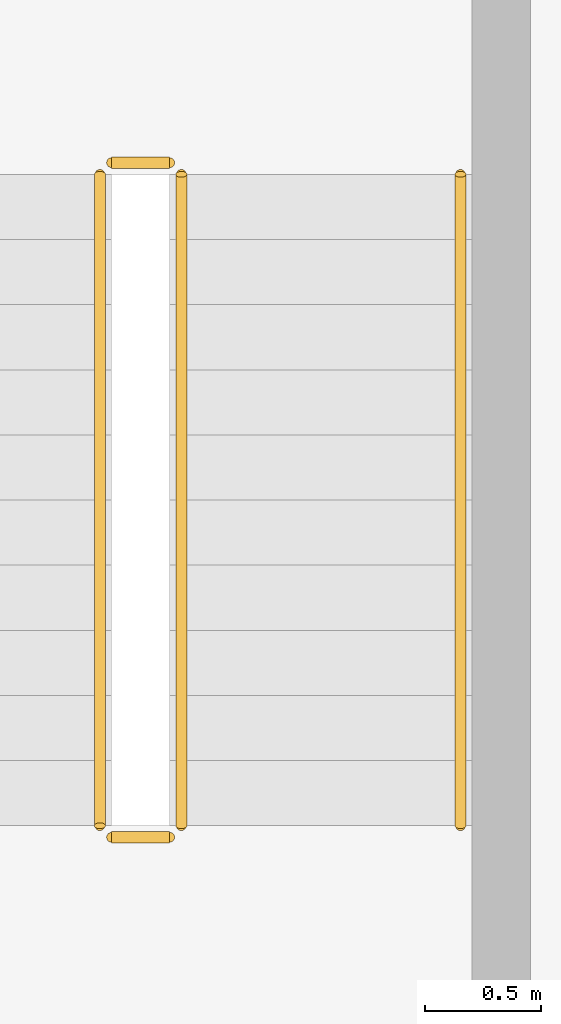
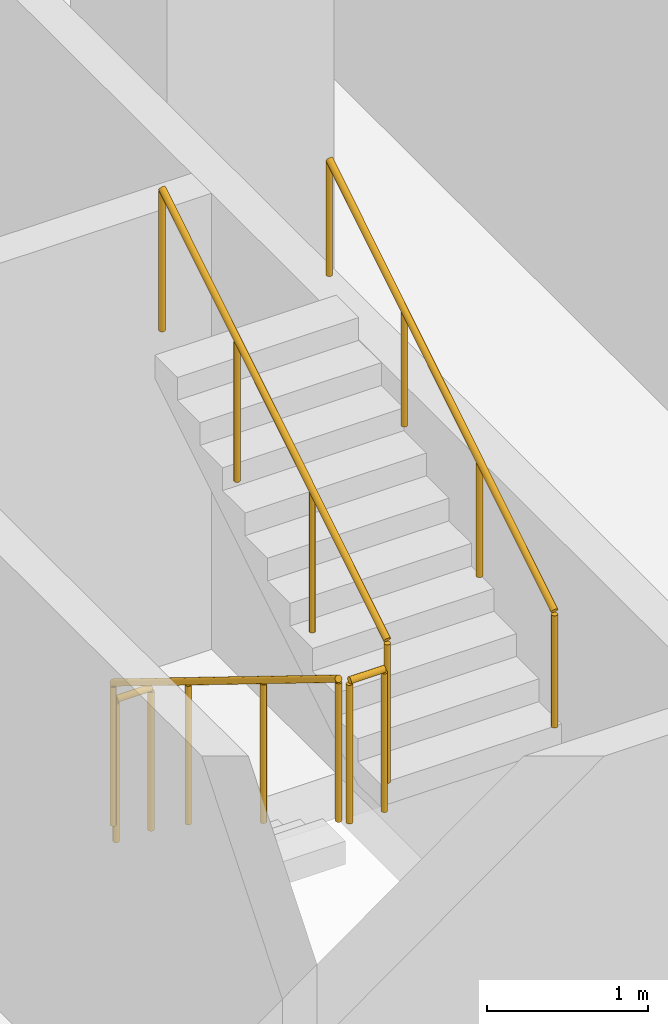
# One storey, part 23 of 30: 5 railings.
"""IFC4 building model written with IfcOpenShell, lengths in metres."""

from ifc_helpers import new_model, si_unit, direction, frame, origin, origin_2d, place, context, subcontext, project, spatial, circle, extrude, material, type_object, element, save


model = new_model("IFC4")

# Units and contexts
model_context = context("Model", 3, precision=1e-05, world=origin(), true_north=direction((0.0, 1.0)))
body_context = subcontext(model_context, "Body", "Model", "MODEL_VIEW")
ifc_project = project(units=[si_unit("LENGTHUNIT", "METRE"), si_unit("AREAUNIT", "SQUARE_METRE"), si_unit("VOLUMEUNIT", "CUBIC_METRE"), si_unit("PLANEANGLEUNIT", "RADIAN"), si_unit("MASSUNIT", "GRAM", prefix="KILO")], contexts=[model_context])

# Site, building, storey
site_placement = place(None, origin())
site = spatial("IfcSite", under=ifc_project, at=site_placement, CompositionType="ELEMENT")
building_placement = place(site_placement, origin())
building = spatial("IfcBuilding", under=site, at=building_placement, Name="Mahtab Terrace Research Tower", CompositionType="ELEMENT")
storey_placement = place(building_placement, frame((0.0, 0.0, 159.199951171875)))
storey = spatial("IfcBuildingStorey", under=building, at=storey_placement, Name="L37", CompositionType="ELEMENT", Elevation=159.199951171875)

# Railings
ifc_material = material(Name="Stainless steel AISI 304", Category="steel")
railing_type_1 = type_object("IfcRailingType", Name="Stair guard 1100", PredefinedType="GUARDRAIL", material=ifc_material)
railing_1_placement = place(storey_placement, frame((2.949951171875, -4.175048828125, 0.1728515625)))
element("IfcRailing", 1, at=railing_1_placement, inside=storey, type_object=railing_type_1, Name="L37 ST2 stair guard 1", PredefinedType="GUARDRAIL", context=body_context, shape_type="SweptSolid", body=[
    extrude(circle(Radius=0.02392578125, at=origin_2d()), frame((0.0, 0.0, 1.076171875), z_axis=(0.0, -0.851089632645, 0.525020415988), x_axis=(1.0, 0.0, 0.0)), (0.0, 0.0, 1.0), 3.2900390625),
    extrude(circle(Radius=0.02099609375, at=origin_2d()), origin(), (0.0, 0.0, 1.0), 1.052001953125),
    extrude(circle(Radius=0.02099609375, at=origin_2d()), frame((0.0, -0.933349609375, 0.57568359375)), (0.0, 0.0, 1.0), 1.052001953125),
    extrude(circle(Radius=0.02099609375, at=origin_2d()), frame((0.0, -1.86669921875, 1.151611328125)), (0.0, 0.0, 1.0), 1.052001953125),
    extrude(circle(Radius=0.02099609375, at=origin_2d()), frame((0.0, -2.800048828125, 1.727294921875)), (0.0, 0.0, 1.0), 1.052001953125),
])
railing_2_placement = place(storey_placement, frame((3.0, -7.02490234375, 1.900146484375)))
element("IfcRailing", 2, at=railing_2_placement, inside=storey, type_object=railing_type_1, Name="L37 ST2 stair guard 2", PredefinedType="GUARDRAIL", context=body_context, shape_type="SweptSolid", body=[
    extrude(circle(Radius=0.02392578125, at=origin_2d()), frame((0.0, 0.0, 1.076171875), z_axis=(1.0, 0.0, 0.0), x_axis=(0.0, 1.0, 0.0)), (0.0, 0.0, 1.0), 0.25),
    extrude(circle(Radius=0.02099609375, at=origin_2d()), origin(), (0.0, 0.0, 1.0), 1.052001953125),
    extrude(circle(Radius=0.02099609375, at=origin_2d()), frame((0.25, 0.0, 0.0)), (0.0, 0.0, 1.0), 1.052001953125),
])
railing_3_placement = place(storey_placement, frame((3.300048828125, -6.97509765625, 2.07275390625)))
element("IfcRailing", 3, at=railing_3_placement, inside=storey, type_object=railing_type_1, Name="L37 ST2 stair guard 3", PredefinedType="GUARDRAIL", context=body_context, shape_type="SweptSolid", body=[
    extrude(circle(Radius=0.02392578125, at=origin_2d()), frame((0.0, 0.0, 1.076171875), z_axis=(0.0, 0.851089632645, 0.525020415988), x_axis=(-1.0, 0.0, 0.0)), (0.0, 0.0, 1.0), 3.2900390625),
    extrude(circle(Radius=0.02099609375, at=origin_2d()), origin(), (0.0, 0.0, 1.0), 1.052001953125),
    extrude(circle(Radius=0.02099609375, at=origin_2d()), frame((0.0, 0.933349609375, 0.57568359375)), (0.0, 0.0, 1.0), 1.052001953125),
    extrude(circle(Radius=0.02099609375, at=origin_2d()), frame((0.0, 1.86669921875, 1.151611328125)), (0.0, 0.0, 1.0), 1.052001953125),
    extrude(circle(Radius=0.02099609375, at=origin_2d()), frame((0.0, 2.800048828125, 1.727294921875)), (0.0, 0.0, 1.0), 1.052001953125),
])
railing_4_placement = place(storey_placement, frame((3.0, -4.125, 0.0)))
element("IfcRailing", 4, at=railing_4_placement, inside=storey, type_object=railing_type_1, Name="L37 ST2 stair guard 4", PredefinedType="GUARDRAIL", context=body_context, shape_type="SweptSolid", body=[
    extrude(circle(Radius=0.02392578125, at=origin_2d()), frame((0.0, 0.0, 1.076171875), z_axis=(1.0, 0.0, 0.0), x_axis=(0.0, 1.0, 0.0)), (0.0, 0.0, 1.0), 0.25),
    extrude(circle(Radius=0.02099609375, at=origin_2d()), origin(), (0.0, 0.0, 1.0), 1.052001953125),
    extrude(circle(Radius=0.02099609375, at=origin_2d()), frame((0.25, 0.0, 0.0)), (0.0, 0.0, 1.0), 1.052001953125),
])
railing_type_2 = type_object("IfcRailingType", Name="Stair handrail 900", PredefinedType="HANDRAIL", material=ifc_material)
railing_5_placement = place(storey_placement, frame((4.5, -6.97509765625, 2.07275390625)))
element("IfcRailing", 5, at=railing_5_placement, inside=storey, type_object=railing_type_2, Name="L37 ST2 stair handrail 2", PredefinedType="HANDRAIL", context=body_context, shape_type="SweptSolid", body=[
    extrude(circle(Radius=0.02392578125, at=origin_2d()), frame((0.0, 0.0, 0.8759765625), z_axis=(0.0, 0.851089632645, 0.525020415988), x_axis=(-1.0, 0.0, 0.0)), (0.0, 0.0, 1.0), 3.2900390625),
    extrude(circle(Radius=0.02099609375, at=origin_2d()), origin(), (0.0, 0.0, 1.0), 0.851806640625),
    extrude(circle(Radius=0.02099609375, at=origin_2d()), frame((0.0, 0.933349609375, 0.57568359375)), (0.0, 0.0, 1.0), 0.851806640625),
    extrude(circle(Radius=0.02099609375, at=origin_2d()), frame((0.0, 1.86669921875, 1.151611328125)), (0.0, 0.0, 1.0), 0.851806640625),
    extrude(circle(Radius=0.02099609375, at=origin_2d()), frame((0.0, 2.800048828125, 1.727294921875)), (0.0, 0.0, 1.0), 0.851806640625),
])

save(model, "model.ifc")
